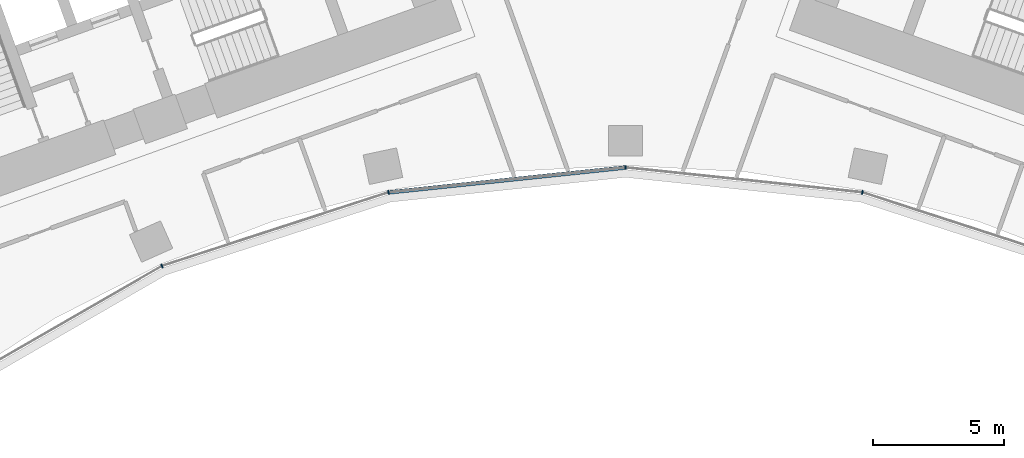
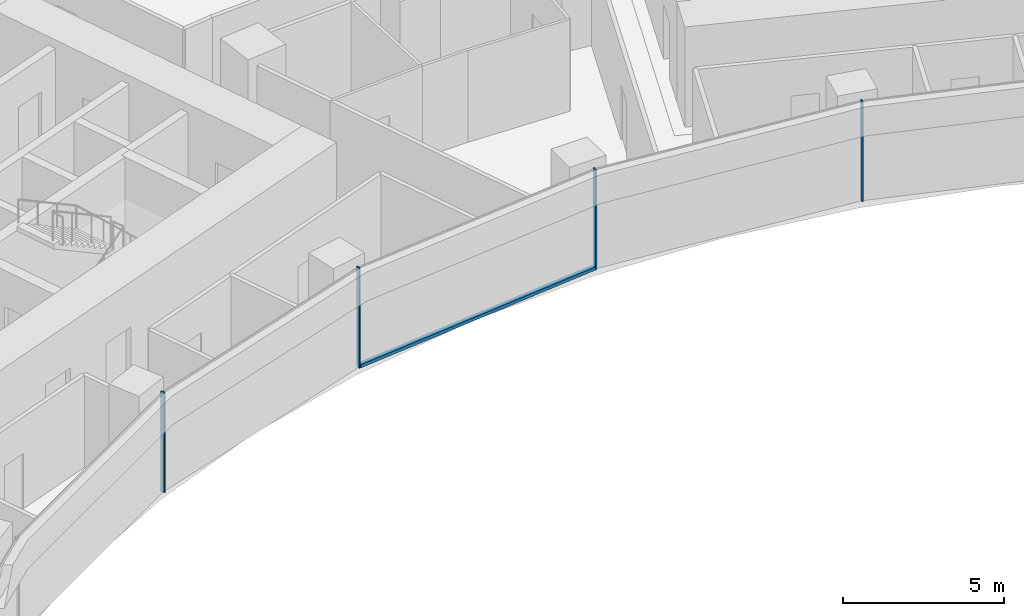
# One storey, part 3 of 20: 5 members, 1 element without a shape of its own.
"""IFC4 building model written with IfcOpenShell, lengths in metres."""

from ifc_helpers import new_model, si_unit, direction, frame, origin, origin_2d, place, context, subcontext, project, spatial, rectangle, extrude, material, layer, layer_set, material_profile, profile_set, type_object, element, aggregate, save


model = new_model("IFC4")

# Units and contexts
model_context = context("Model", 3, precision=1e-05, world=origin(), true_north=direction((0.0, 1.0)))
body_context = subcontext(model_context, "Body", "Model", "MODEL_VIEW")
ifc_project = project(units=[si_unit("LENGTHUNIT", "METRE"), si_unit("AREAUNIT", "SQUARE_METRE"), si_unit("VOLUMEUNIT", "CUBIC_METRE"), si_unit("PLANEANGLEUNIT", "RADIAN"), si_unit("MASSUNIT", "GRAM", prefix="KILO")], contexts=[model_context])

# Site, building, storey
site_placement = place(None, origin())
site = spatial("IfcSite", under=ifc_project, at=site_placement, CompositionType="ELEMENT")
building_placement = place(site_placement, origin())
building = spatial("IfcBuilding", under=site, at=building_placement, Name="Stone Belt Terrace Tower", CompositionType="ELEMENT")
storey_placement = place(building_placement, frame((0.0, 0.0, 125.0)))
storey = spatial("IfcBuildingStorey", under=building, at=storey_placement, Name="L30", CompositionType="ELEMENT", Elevation=125.0)

# Curtain wall, members
ifc_material = material(Name="Aluminium 6063-T6 anodised frame", Category="aluminium")
ifc_layer = layer(ifc_material, 0.14990234375)
ifc_layer_set = layer_set([ifc_layer], Name="CW-B unitised concave-face curtain wall")
curtain_wall_type = type_object("IfcCurtainWallType", Name="CW-B unitised concave-face curtain wall", PredefinedType="NOTDEFINED", material=ifc_layer_set)
curtain_wall_placement = place(storey_placement, origin())
curtain_wall = element("IfcCurtainWall", 1, at=curtain_wall_placement, inside=storey, type_object=curtain_wall_type, Name="CW-B concave face L30", PredefinedType="NOTDEFINED")
ifc_material_profile_1 = material_profile(ifc_material, rectangle(XDim=0.14990234375, YDim=0.050048828125, at=origin_2d()), Name="Aluminium 6063-T6 50x150")
ifc_profile_set_1 = profile_set([ifc_material_profile_1], Name="Aluminium 6063-T6 anodised frame")
member_type_1 = type_object("IfcMemberType", Name="CW-B mullion 50 x 150", PredefinedType="MULLION", material=ifc_profile_set_1)
member_1_placement = place(storey_placement, frame((-17.662353515625, 39.67041015625, 0.0), z_axis=(0.0, 0.0, 1.0), x_axis=(-0.406736643076, 0.913545457643, 0.0)))
member_1 = element("IfcMember", 2, at=member_1_placement, type_object=member_type_1, Name="CW-B mullion 3", PredefinedType="MULLION", context=body_context, shape_type="SweptSolid", body=[
    extrude(rectangle(XDim=0.14990234375, YDim=0.050048828125, at=origin_2d()), origin(), (0.0, 0.0, 1.0), 3.800048828125),
])
member_2_placement = place(storey_placement, frame((-9.028564453125, 42.4755859375, 0.0), z_axis=(0.0, 0.0, 1.0), x_axis=(-0.207911690818, 0.978147600734, 0.0)))
member_2 = element("IfcMember", 3, at=member_2_placement, type_object=member_type_1, Name="CW-B mullion 4", PredefinedType="MULLION", context=body_context, shape_type="SweptSolid", body=[
    extrude(rectangle(XDim=0.14990234375, YDim=0.050048828125, at=origin_2d()), origin(), (0.0, 0.0, 1.0), 3.800048828125),
])
member_3_placement = place(storey_placement, frame((0.0, 43.424560546875, 0.0), z_axis=(0.0, 0.0, 1.0), x_axis=(0.0, 1.0, 0.0)))
member_3 = element("IfcMember", 4, at=member_3_placement, type_object=member_type_1, Name="CW-B mullion 5", PredefinedType="MULLION", context=body_context, shape_type="SweptSolid", body=[
    extrude(rectangle(XDim=0.14990234375, YDim=0.050048828125, at=origin_2d()), origin(), (0.0, 0.0, 1.0), 3.800048828125),
])
member_4_placement = place(storey_placement, frame((9.028564453125, 42.4755859375, 0.0), z_axis=(0.0, 0.0, 1.0), x_axis=(0.207911690818, 0.978147600734, 0.0)))
member_4 = element("IfcMember", 5, at=member_4_placement, type_object=member_type_1, Name="CW-B mullion 6", PredefinedType="MULLION", context=body_context, shape_type="SweptSolid", body=[
    extrude(rectangle(XDim=0.14990234375, YDim=0.050048828125, at=origin_2d()), origin(), (0.0, 0.0, 1.0), 3.800048828125),
])
ifc_material_profile_2 = material_profile(ifc_material, rectangle(XDim=0.14990234375, YDim=0.1201171875, at=origin_2d()), Name="Aluminium 6063-T6 150x120")
ifc_profile_set_2 = profile_set([ifc_material_profile_2], Name="Aluminium 6063-T6 anodised frame")
member_type_2 = type_object("IfcMemberType", Name="CW-B transom 120 x 150", PredefinedType="USERDEFINED", material=ifc_profile_set_2)
member_5_placement = place(storey_placement, frame((-8.995849609375, 42.47900390625, 0.06005859375), z_axis=(0.994521323407, 0.104533904969, 0.0), x_axis=(-0.104533904969, 0.994521323407, 0.0)))
member_5 = element("IfcMember", 6, at=member_5_placement, type_object=member_type_2, Name="CW-B transom 4.1", ObjectType="TRANSOM", PredefinedType="USERDEFINED", context=body_context, shape_type="SweptSolid", body=[
    extrude(rectangle(XDim=0.14990234375, YDim=0.1201171875, at=origin_2d()), origin(), (0.0, 0.0, 1.0), 9.0126953125),
])
aggregate(curtain_wall, [member_1, member_2, member_3, member_4, member_5])

save(model, "model.ifc")
